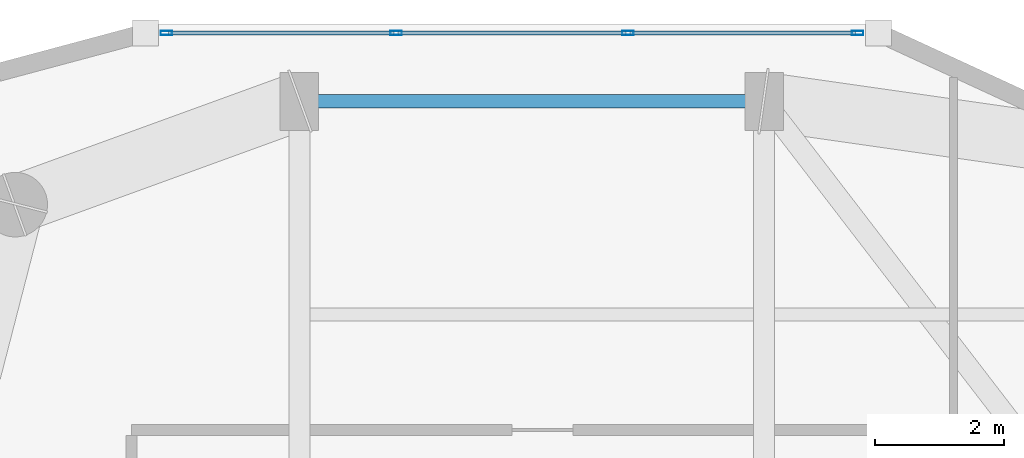
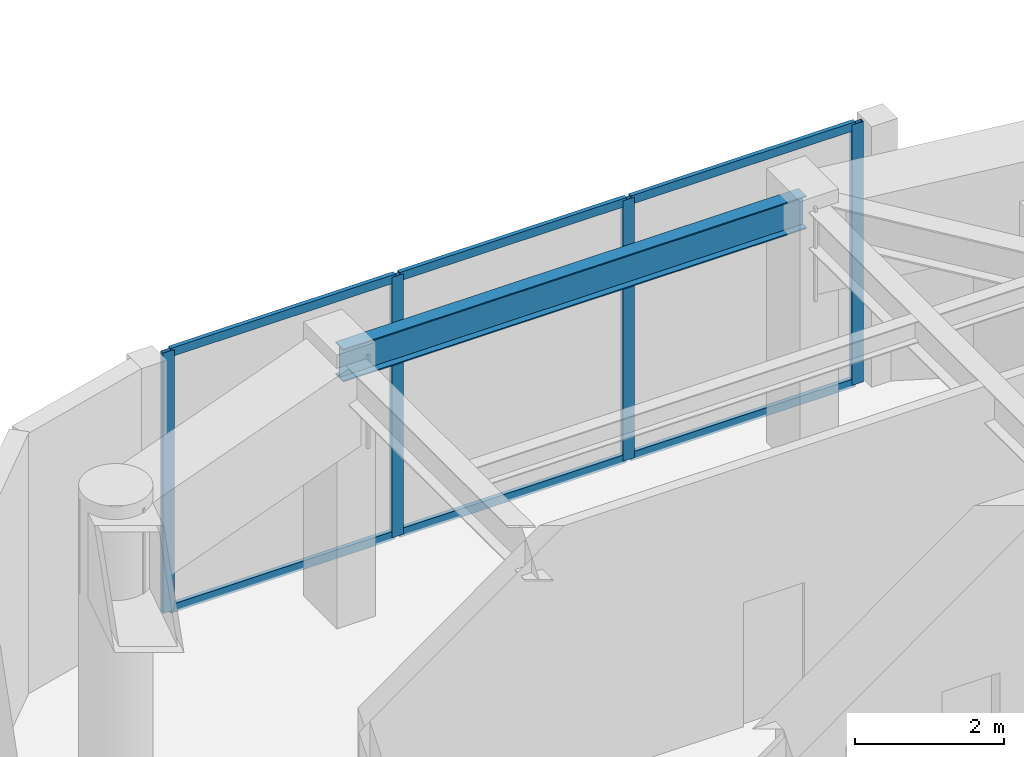
# One storey, part 6 of 15: 10 members, 1 beam, 1 element without a shape of its own.
"""IFC4 building model written with IfcOpenShell, lengths in metres."""

from ifc_helpers import new_model, si_unit, direction, frame, origin, origin_2d, place, context, subcontext, project, spatial, hollow_rectangle, i_section, extrude, material, layer, layer_set, material_profile, profile_set, type_object, element, aggregate, save


model = new_model("IFC4")

# Units and contexts
model_context = context("Model", 3, precision=1e-05, world=origin(), true_north=direction((0.0, 1.0)))
body_context = subcontext(model_context, "Body", "Model", "MODEL_VIEW")
ifc_project = project(units=[si_unit("LENGTHUNIT", "METRE"), si_unit("AREAUNIT", "SQUARE_METRE"), si_unit("VOLUMEUNIT", "CUBIC_METRE"), si_unit("PLANEANGLEUNIT", "RADIAN"), si_unit("MASSUNIT", "GRAM", prefix="KILO")], contexts=[model_context])

# Site, building, storey
site_placement = place(None, origin())
site = spatial("IfcSite", under=ifc_project, at=site_placement, CompositionType="ELEMENT")
building_placement = place(site_placement, origin())
building = spatial("IfcBuilding", under=site, at=building_placement, Name="Kiyonajd Concourse Tower", CompositionType="ELEMENT")
storey_placement = place(building_placement, frame((0.0, 0.0, 342.0)))
storey = spatial("IfcBuildingStorey", under=building, at=storey_placement, Name="L86", CompositionType="ELEMENT", Elevation=342.0)

# Beam
ifc_material_1 = material(Name="Steel ASTM A992 Grade 50", Category="steel")
ifc_material_profile_1 = material_profile(ifc_material_1, i_section(OverallWidth=0.2109375, OverallDepth=0.5390625, WebThickness=0.01171875, FlangeThickness=0.018798828125, at=origin_2d()), Name="W530X109")
ifc_profile_set_1 = profile_set([ifc_material_profile_1], Name="Steel ASTM A992 Grade 50")
beam_type = type_object("IfcBeamType", Name="BM-SPAN-530B", PredefinedType="SPANDREL", material=ifc_profile_set_1)
beam_placement = place(storey_placement, frame((39.60009765625, 52.199951171875, 4.010498046875), z_axis=(-1.0, 0.0, 0.0), x_axis=(0.0, -1.0, 0.0)))
element("IfcBeam", 1, at=beam_placement, inside=storey, type_object=beam_type, Name="L86 Perimeter Bundled Tube Spandrel", PredefinedType="SPANDREL", context=body_context, shape_type="SweptSolid", body=[
    extrude(i_section(OverallWidth=0.2109375, OverallDepth=0.5390625, WebThickness=0.01171875, FlangeThickness=0.018798828125, at=origin_2d()), origin(), (0.0, 0.0, 1.0), 7.2001953125),
])

# Curtain wall, members
ifc_material_2 = material(Name="Thermally Broken Anodised Aluminium", Category="aluminium")
ifc_layer = layer(ifc_material_2, 0.179931640625)
ifc_layer_set = layer_set([ifc_layer], Name="Thermally Broken Anodised Aluminium")
curtain_wall_type = type_object("IfcCurtainWallType", Name="CW-SYS-04", PredefinedType="NOTDEFINED", material=ifc_layer_set)
curtain_wall_placement = place(storey_placement, origin())
curtain_wall = element("IfcCurtainWall", 2, at=curtain_wall_placement, inside=storey, type_object=curtain_wall_type, Name="L86 Unitised Curtain Wall CW4", PredefinedType="NOTDEFINED")
ifc_material_profile_2 = material_profile(ifc_material_2, hollow_rectangle(XDim=0.06494140625, YDim=0.179931640625, WallThickness=0.00390625, at=origin_2d()), Name="MULL-65x180")
ifc_profile_set_2 = profile_set([ifc_material_profile_2], Name="Thermally Broken Anodised Aluminium")
member_type_1 = type_object("IfcMemberType", Name="MB-CW-MULL1", PredefinedType="MULLION", material=ifc_profile_set_2)
member_1_placement = place(storey_placement, frame((30.3408203125, 53.260009765625, 0.0), z_axis=(0.0, 0.0, 1.0), x_axis=(0.0, 1.0, 0.0)))
member_1 = element("IfcMember", 3, at=member_1_placement, type_object=member_type_1, Name="CW4 mullion 1", PredefinedType="MULLION", context=body_context, shape_type="SweptSolid", body=[
    extrude(hollow_rectangle(XDim=0.06494140625, YDim=0.179931640625, WallThickness=0.00390625, at=origin_2d()), origin(), (0.0, 0.0, 1.0), 4.280029296875),
])
member_2_placement = place(storey_placement, frame((33.898681640625, 53.260009765625, 0.0), z_axis=(0.0, 0.0, 1.0), x_axis=(0.0, 1.0, 0.0)))
member_2 = element("IfcMember", 4, at=member_2_placement, type_object=member_type_1, Name="CW4 mullion 2", PredefinedType="MULLION", context=body_context, shape_type="SweptSolid", body=[
    extrude(hollow_rectangle(XDim=0.06494140625, YDim=0.179931640625, WallThickness=0.00390625, at=origin_2d()), origin(), (0.0, 0.0, 1.0), 4.280029296875),
])
member_3_placement = place(storey_placement, frame((37.489013671875, 53.260009765625, 0.0), z_axis=(0.0, 0.0, 1.0), x_axis=(0.0, 1.0, 0.0)))
member_3 = element("IfcMember", 5, at=member_3_placement, type_object=member_type_1, Name="CW4 mullion 3", PredefinedType="MULLION", context=body_context, shape_type="SweptSolid", body=[
    extrude(hollow_rectangle(XDim=0.06494140625, YDim=0.179931640625, WallThickness=0.00390625, at=origin_2d()), origin(), (0.0, 0.0, 1.0), 4.280029296875),
])
member_4_placement = place(storey_placement, frame((41.046875, 53.260009765625, 0.0), z_axis=(0.0, 0.0, 1.0), x_axis=(0.0, 1.0, 0.0)))
member_4 = element("IfcMember", 6, at=member_4_placement, type_object=member_type_1, Name="CW4 mullion 4", PredefinedType="MULLION", context=body_context, shape_type="SweptSolid", body=[
    extrude(hollow_rectangle(XDim=0.06494140625, YDim=0.179931640625, WallThickness=0.00390625, at=origin_2d()), origin(), (0.0, 0.0, 1.0), 4.280029296875),
])
ifc_material_profile_3 = material_profile(ifc_material_2, hollow_rectangle(XDim=0.06494140625, YDim=0.139892578125, WallThickness=0.00390625, at=origin_2d()), Name="TRAN-65x140")
ifc_profile_set_3 = profile_set([ifc_material_profile_3], Name="Thermally Broken Anodised Aluminium")
member_type_2 = type_object("IfcMemberType", Name="MB-CW-TRAN1", PredefinedType="USERDEFINED", material=ifc_profile_set_3)
member_5_placement = place(storey_placement, frame((30.373291015625, 53.260009765625, 0.032470703125), z_axis=(1.0, 0.0, 0.0), x_axis=(0.0, 1.0, 0.0)))
member_5 = element("IfcMember", 7, at=member_5_placement, type_object=member_type_2, Name="CW4 transom 1.1", ObjectType="TRANSOM", PredefinedType="USERDEFINED", context=body_context, shape_type="SweptSolid", body=[
    extrude(hollow_rectangle(XDim=0.06494140625, YDim=0.139892578125, WallThickness=0.00390625, at=origin_2d()), origin(), (0.0, 0.0, 1.0), 3.492919921875),
])
member_6_placement = place(storey_placement, frame((30.373291015625, 53.260009765625, 4.24755859375), z_axis=(1.0, 0.0, 0.0), x_axis=(0.0, 1.0, 0.0)))
member_6 = element("IfcMember", 8, at=member_6_placement, type_object=member_type_2, Name="CW4 transom 1.2", ObjectType="TRANSOM", PredefinedType="USERDEFINED", context=body_context, shape_type="SweptSolid", body=[
    extrude(hollow_rectangle(XDim=0.06494140625, YDim=0.139892578125, WallThickness=0.00390625, at=origin_2d()), origin(), (0.0, 0.0, 1.0), 3.492919921875),
])
member_7_placement = place(storey_placement, frame((33.93115234375, 53.260009765625, 0.032470703125), z_axis=(1.0, 0.0, 0.0), x_axis=(0.0, 1.0, 0.0)))
member_7 = element("IfcMember", 9, at=member_7_placement, type_object=member_type_2, Name="CW4 transom 2.1", ObjectType="TRANSOM", PredefinedType="USERDEFINED", context=body_context, shape_type="SweptSolid", body=[
    extrude(hollow_rectangle(XDim=0.06494140625, YDim=0.139892578125, WallThickness=0.00390625, at=origin_2d()), origin(), (0.0, 0.0, 1.0), 3.525390625),
])
member_8_placement = place(storey_placement, frame((33.93115234375, 53.260009765625, 4.24755859375), z_axis=(1.0, 0.0, 0.0), x_axis=(0.0, 1.0, 0.0)))
member_8 = element("IfcMember", 10, at=member_8_placement, type_object=member_type_2, Name="CW4 transom 2.2", ObjectType="TRANSOM", PredefinedType="USERDEFINED", context=body_context, shape_type="SweptSolid", body=[
    extrude(hollow_rectangle(XDim=0.06494140625, YDim=0.139892578125, WallThickness=0.00390625, at=origin_2d()), origin(), (0.0, 0.0, 1.0), 3.525390625),
])
member_9_placement = place(storey_placement, frame((37.521484375, 53.260009765625, 0.032470703125), z_axis=(1.0, 0.0, 0.0), x_axis=(0.0, 1.0, 0.0)))
member_9 = element("IfcMember", 11, at=member_9_placement, type_object=member_type_2, Name="CW4 transom 3.1", ObjectType="TRANSOM", PredefinedType="USERDEFINED", context=body_context, shape_type="SweptSolid", body=[
    extrude(hollow_rectangle(XDim=0.06494140625, YDim=0.139892578125, WallThickness=0.00390625, at=origin_2d()), origin(), (0.0, 0.0, 1.0), 3.492919921875),
])
member_10_placement = place(storey_placement, frame((37.521484375, 53.260009765625, 4.24755859375), z_axis=(1.0, 0.0, 0.0), x_axis=(0.0, 1.0, 0.0)))
member_10 = element("IfcMember", 12, at=member_10_placement, type_object=member_type_2, Name="CW4 transom 3.2", ObjectType="TRANSOM", PredefinedType="USERDEFINED", context=body_context, shape_type="SweptSolid", body=[
    extrude(hollow_rectangle(XDim=0.06494140625, YDim=0.139892578125, WallThickness=0.00390625, at=origin_2d()), origin(), (0.0, 0.0, 1.0), 3.492919921875),
])
aggregate(curtain_wall, [member_1, member_2, member_3, member_4, member_5, member_6, member_7, member_8, member_9, member_10])

save(model, "model.ifc")
